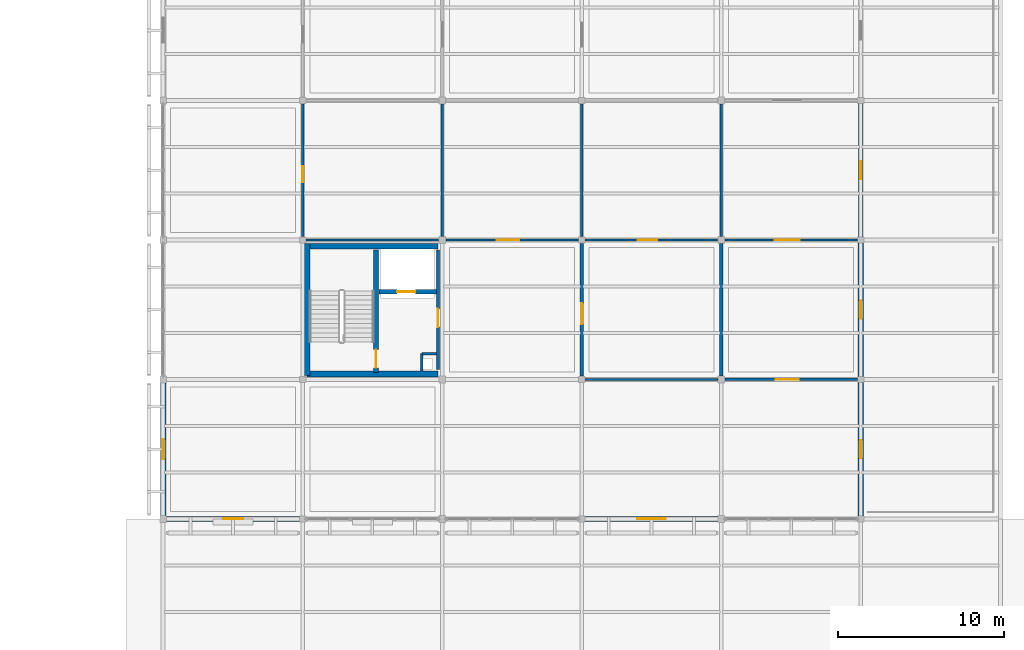
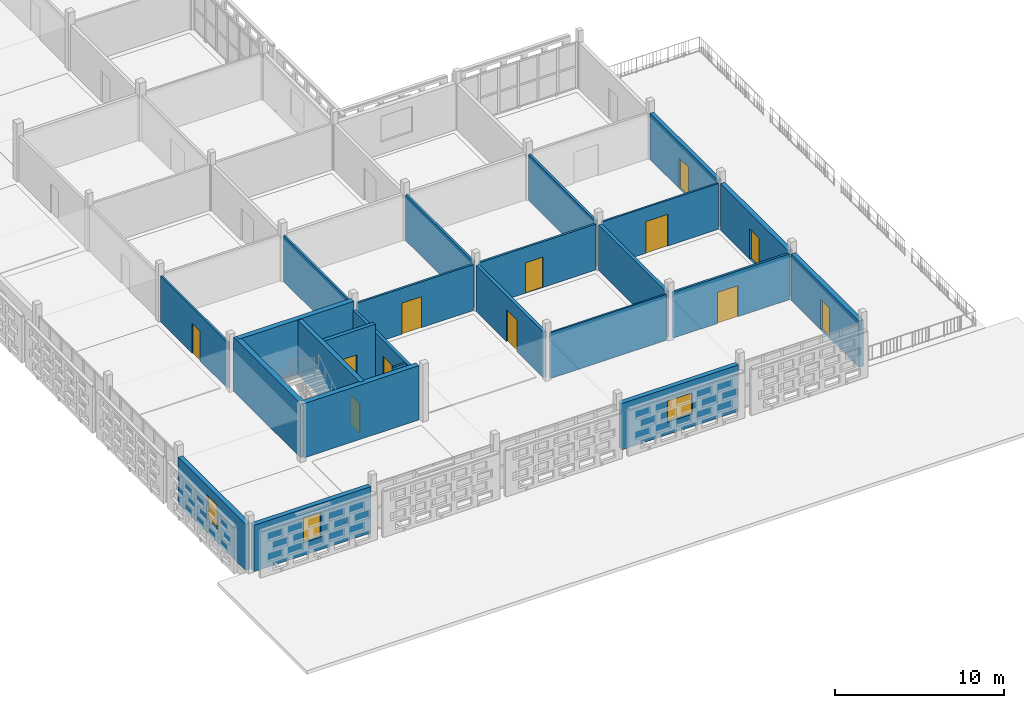
# One storey, part 83 of 140: 26 walls, 12 doors, 3 windows, 15 openings.
"""IFC4 building model written with IfcOpenShell, lengths in metres."""

from ifc_helpers import new_model, si_unit, direction, frame, frame_2d, origin, place, context, subcontext, project, spatial, rectangle, extrude, material, layer, layer_set, type_object, element, fill, save


model = new_model("IFC4")

# Units and contexts
model_context = context("Model", 3, precision=1e-05, world=origin(), true_north=direction((0.0, 1.0)))
body_context = subcontext(model_context, "Body", "Model", "MODEL_VIEW")
ifc_project = project(units=[si_unit("LENGTHUNIT", "METRE"), si_unit("AREAUNIT", "SQUARE_METRE"), si_unit("VOLUMEUNIT", "CUBIC_METRE"), si_unit("PLANEANGLEUNIT", "RADIAN"), si_unit("MASSUNIT", "GRAM", prefix="KILO")], contexts=[model_context])

# Site, building, storey
site_placement = place(None, origin())
site = spatial("IfcSite", under=ifc_project, at=site_placement, CompositionType="ELEMENT")
building_placement = place(site_placement, origin())
building = spatial("IfcBuilding", under=site, at=building_placement, Name="Varnapada Polytechnic", CompositionType="ELEMENT")
storey_placement = place(building_placement, frame((0.0, 0.0, 13.800048828125)))
storey = spatial("IfcBuildingStorey", under=building, at=storey_placement, Name="L03", CompositionType="ELEMENT", Elevation=13.800048828125)

# Wall, opening, door
ifc_material_1 = material(Name="Autoclaved Aerated Concrete Block AAC-600", Category="concrete")
ifc_layer_1 = layer(ifc_material_1, 0.199951171875)
ifc_layer_set_1 = layer_set([ifc_layer_1], Name="Autoclaved Aerated Concrete Block AAC-600")
wall_type_1 = type_object("IfcWallType", Name="Interior Wall IW-01", PredefinedType="PARTITIONING", material=ifc_layer_set_1)
wall_1_placement = place(storey_placement, frame((24.93994140625, 24.60009765625, 0.0), z_axis=(0.0, 0.0, 1.0), x_axis=(0.0, -1.0, 0.0)))
wall_1 = element("IfcWall", 1, at=wall_1_placement, inside=storey, type_object=wall_type_1, Name="L03 C3 firefighting lobby east wall", PredefinedType="PARTITIONING", context=body_context, shape_type="SweptSolid", body=[
    extrude(rectangle(XDim=7.2001953125, YDim=0.199951171875, at=frame_2d((3.60009765625, 0.0))), origin(), (0.0, 0.0, 1.0), 3.320068359375),
])
opening_1_placement = place(wall_1_placement, frame((3.550048828125, 0.0, 0.0)))
opening_1 = element("IfcOpeningElement", 2, at=opening_1_placement, cuts=wall_1, Name="Opening D-1190", PredefinedType="OPENING", context=body_context, shape_type="SweptSolid", body=[
    extrude(rectangle(XDim=1.10009765625, YDim=2.14990234375, at=frame_2d((0.550048828125, 1.074951171875))), frame((0.0, 0.10986328125, 0.0), z_axis=(0.0, -1.0, 0.0), x_axis=(1.0, 0.0, 0.0)), (0.0, 0.0, 1.0), 0.219970703125),
])
ifc_material_2 = material(Name="Galvanized Steel Z275", Category="steel")
door_type_1 = type_object("IfcDoorType", Name="Interior Door ID-01", OperationType="NOTDEFINED", PredefinedType="DOOR", material=ifc_material_2)
door_1_placement = place(opening_1_placement, frame((1.10009765625, 0.0, 0.0), z_axis=(0.0, 0.0, 1.0), x_axis=(-1.0, 0.0, 0.0)))
door_1 = element("IfcDoor", 3, at=door_1_placement, inside=storey, type_object=door_type_1, Name="L03 C3 lobby fire door D-1190", OperationType="SINGLE_SWING_RIGHT", OverallHeight=2.14990234375, OverallWidth=1.10009765625, PredefinedType="DOOR", context=body_context, shape_type="SweptSolid", body=[
    extrude(rectangle(XDim=1.10009765625, YDim=2.14990234375, at=frame_2d((0.550048828125, 1.074951171875))), frame((0.0, 0.02490234375, 0.0), z_axis=(0.0, -1.0, 0.0), x_axis=(1.0, 0.0, 0.0)), (0.0, 0.0, 1.0), 0.050048828125),
])
fill(opening_1, door_1)

# Walls
ifc_layer_2 = layer(ifc_material_1, 0.14990234375)
ifc_layer_set_2 = layer_set([ifc_layer_2], Name="Autoclaved Aerated Concrete Block AAC-600")
wall_type_2 = type_object("IfcWallType", Name="Interior Wall IW-02", PredefinedType="PARTITIONING", material=ifc_layer_set_2)
wall_2_placement = place(storey_placement, frame((23.97998046875, 18.360107421875, 0.0), z_axis=(0.0, 0.0, 1.0), x_axis=(0.0, -1.0, 0.0)))
element("IfcWall", 4, at=wall_2_placement, inside=storey, type_object=wall_type_2, Name="L03 C3 riser shaft west wall", PredefinedType="PARTITIONING", context=body_context, shape_type="SweptSolid", body=[
    extrude(rectangle(XDim=1.06005859375, YDim=0.14990234375, at=frame_2d((0.530029296875, 0.0))), origin(), (0.0, 0.0, 1.0), 3.320068359375),
])
wall_3_placement = place(storey_placement, frame((23.97998046875, 18.360107421875, 0.0), z_axis=(0.0, 0.0, 1.0), x_axis=(1.0, 0.0, 0.0)))
element("IfcWall", 5, at=wall_3_placement, inside=storey, type_object=wall_type_2, Name="L03 C3 riser shaft north wall", PredefinedType="PARTITIONING", context=body_context, shape_type="SweptSolid", body=[
    extrude(rectangle(XDim=0.860107421875, YDim=0.14990234375, at=frame_2d((0.43017578125, 0.0))), origin(), (0.0, 0.0, 1.0), 3.320068359375),
])

# Wall, opening, door
wall_4_placement = place(storey_placement, frame((42.219970703125, 16.800048828125, 0.0), z_axis=(0.0, 0.0, 1.0), x_axis=(1.0, 0.0, 0.0)))
wall_4 = element("IfcWall", 6, at=wall_4_placement, inside=storey, type_object=wall_type_2, Name="L03 interior partition IW-L03-05-01-H", PredefinedType="PARTITIONING", context=body_context, shape_type="SweptSolid", body=[
    extrude(rectangle(XDim=7.969970703125, YDim=0.14990234375, at=frame_2d((3.98486328125, 0.0))), origin(), (0.0, 0.0, 1.0), 3.320068359375),
])
opening_2_placement = place(wall_4_placement, frame((3.050048828125, 0.0, 0.0)))
opening_2 = element("IfcOpeningElement", 7, at=opening_2_placement, cuts=wall_4, Name="Opening D-1228", PredefinedType="OPENING", context=body_context, shape_type="SweptSolid", body=[
    extrude(rectangle(XDim=1.39990234375, YDim=2.25, at=frame_2d((0.699951171875, 1.125))), frame((0.0, 0.0849609375, 0.0), z_axis=(0.0, -1.0, 0.0), x_axis=(1.0, 0.0, 0.0)), (0.0, 0.0, 1.0), 0.169921875),
])
ifc_material_3 = material(Name="Powder-Coated Aluminium 6063-T6", Category="aluminium")
door_type_2 = type_object("IfcDoorType", Name="Interior Door ID-06", OperationType="NOTDEFINED", PredefinedType="DOOR", material=ifc_material_3)
door_2_placement = place(opening_2_placement, origin())
door_2 = element("IfcDoor", 8, at=door_2_placement, inside=storey, type_object=door_type_2, Name="L03 interior room door D-1228", OperationType="SINGLE_SWING_LEFT", OverallHeight=2.25, OverallWidth=1.39990234375, PredefinedType="DOOR", context=body_context, shape_type="SweptSolid", body=[
    extrude(rectangle(XDim=1.39990234375, YDim=2.25, at=frame_2d((0.699951171875, 1.125))), frame((0.0, 0.02490234375, 0.0), z_axis=(0.0, -1.0, 0.0), x_axis=(1.0, 0.0, 0.0)), (0.0, 0.0, 1.0), 0.050048828125),
])
fill(opening_2, door_2)

ifc_material_4 = material(Name="Gypsum Plasterboard Acoustic Partition")
ifc_layer_3 = layer(ifc_material_4, 0.125)
ifc_layer_set_3 = layer_set([ifc_layer_3], Name="Gypsum Plasterboard Acoustic Partition")
wall_type_3 = type_object("IfcWallType", Name="Interior Wall IW-03", PredefinedType="PARTITIONING", material=ifc_layer_set_3)
wall_5_placement = place(storey_placement, frame((42.219970703125, 25.199951171875, 0.0), z_axis=(0.0, 0.0, 1.0), x_axis=(1.0, 0.0, 0.0)))
wall_5 = element("IfcWall", 9, at=wall_5_placement, inside=storey, type_object=wall_type_3, Name="L03 interior partition IW-L03-05-02-H", PredefinedType="PARTITIONING", context=body_context, shape_type="SweptSolid", body=[
    extrude(rectangle(XDim=7.969970703125, YDim=0.125, at=frame_2d((3.98486328125, 0.0))), origin(), (0.0, 0.0, 1.0), 3.320068359375),
])
opening_3_placement = place(wall_5_placement, frame((3.0, 0.0, 0.0)))
opening_3 = element("IfcOpeningElement", 10, at=opening_3_placement, cuts=wall_5, Name="Opening D-1229", PredefinedType="OPENING", context=body_context, shape_type="SweptSolid", body=[
    extrude(rectangle(XDim=1.5, YDim=2.300048828125, at=frame_2d((0.75, 1.14990234375))), frame((0.0, 0.072509765625, 0.0), z_axis=(0.0, -1.0, 0.0), x_axis=(1.0, 0.0, 0.0)), (0.0, 0.0, 1.0), 0.14501953125),
])
door_type_3 = type_object("IfcDoorType", Name="Interior Door ID-07", OperationType="NOTDEFINED", PredefinedType="DOOR", material=ifc_material_2)
door_3_placement = place(opening_3_placement, frame((1.5, 0.0, 0.0), z_axis=(0.0, 0.0, 1.0), x_axis=(-1.0, 0.0, 0.0)))
door_3 = element("IfcDoor", 11, at=door_3_placement, inside=storey, type_object=door_type_3, Name="L03 interior room door D-1229", OperationType="SINGLE_SWING_RIGHT", OverallHeight=2.300048828125, OverallWidth=1.5, PredefinedType="DOOR", context=body_context, shape_type="SweptSolid", body=[
    extrude(rectangle(XDim=1.5, YDim=2.300048828125, at=frame_2d((0.75, 1.14990234375))), frame((0.0, 0.02490234375, 0.0), z_axis=(0.0, -1.0, 0.0), x_axis=(1.0, 0.0, 0.0)), (0.0, 0.0, 1.0), 0.050048828125),
])
fill(opening_3, door_3)

ifc_material_5 = material(Name="Moisture-Resistant Cement Board Partition")
ifc_layer_4 = layer(ifc_material_5, 0.139892578125)
ifc_layer_set_4 = layer_set([ifc_layer_4], Name="Moisture-Resistant Cement Board Partition")
wall_type_4 = type_object("IfcWallType", Name="Interior Wall IW-04", PredefinedType="PARTITIONING", material=ifc_layer_set_4)
wall_6_placement = place(storey_placement, frame((16.800048828125, 25.409912109375, 0.0), z_axis=(0.0, 0.0, 1.0), x_axis=(0.0, 1.0, 0.0)))
wall_6 = element("IfcWall", 12, at=wall_6_placement, inside=storey, type_object=wall_type_4, Name="L03 interior partition IW-L03-01-03-V", PredefinedType="PARTITIONING", context=body_context, shape_type="SweptSolid", body=[
    extrude(rectangle(XDim=7.97998046875, YDim=0.139892578125, at=frame_2d((3.989990234375, 0.0))), origin(), (0.0, 0.0, 1.0), 3.320068359375),
])
opening_4_placement = place(wall_6_placement, frame((3.27490234375, 0.0, 0.0)))
opening_4 = element("IfcOpeningElement", 13, at=opening_4_placement, cuts=wall_6, Name="Opening D-1206", PredefinedType="OPENING", context=body_context, shape_type="SweptSolid", body=[
    extrude(rectangle(XDim=0.949951171875, YDim=2.14990234375, at=frame_2d((0.47509765625, 1.074951171875))), frame((0.0, 0.079833984375, 0.0), z_axis=(0.0, -1.0, 0.0), x_axis=(1.0, 0.0, 0.0)), (0.0, 0.0, 1.0), 0.159912109375),
])
ifc_material_6 = material(Name="Moisture-Resistant HPL Timber", Category="wood")
door_type_4 = type_object("IfcDoorType", Name="Interior Door ID-03", OperationType="NOTDEFINED", PredefinedType="DOOR", material=ifc_material_6)
door_4_placement = place(opening_4_placement, origin())
door_4 = element("IfcDoor", 14, at=door_4_placement, inside=storey, type_object=door_type_4, Name="L03 interior room door D-1206", OperationType="SINGLE_SWING_LEFT", OverallHeight=2.14990234375, OverallWidth=0.949951171875, PredefinedType="DOOR", context=body_context, shape_type="SweptSolid", body=[
    extrude(rectangle(XDim=0.949951171875, YDim=2.14990234375, at=frame_2d((0.47509765625, 1.074951171875))), frame((0.0, 0.02490234375, 0.0), z_axis=(0.0, -1.0, 0.0), x_axis=(1.0, 0.0, 0.0)), (0.0, 0.0, 1.0), 0.050048828125),
])
fill(opening_4, door_4)

# Walls
wall_7_placement = place(storey_placement, frame((17.010009765625, 25.199951171875, 0.0), z_axis=(0.0, 0.0, 1.0), x_axis=(1.0, 0.0, 0.0)))
element("IfcWall", 15, at=wall_7_placement, inside=storey, type_object=wall_type_4, Name="L03 interior partition IW-L03-02-02-H", PredefinedType="PARTITIONING", context=body_context, shape_type="SweptSolid", body=[
    extrude(rectangle(XDim=7.969970703125, YDim=0.139892578125, at=frame_2d((3.98486328125, 0.0))), origin(), (0.0, 0.0, 1.0), 3.320068359375),
])
wall_8_placement = place(storey_placement, frame((25.199951171875, 25.419921875, 0.0), z_axis=(0.0, 0.0, 1.0), x_axis=(0.0, 1.0, 0.0)))
element("IfcWall", 16, at=wall_8_placement, inside=storey, type_object=wall_type_4, Name="L03 interior partition IW-L03-02-03-V", PredefinedType="PARTITIONING", context=body_context, shape_type="SweptSolid", body=[
    extrude(rectangle(XDim=7.9599609375, YDim=0.139892578125, at=frame_2d((3.97998046875, 0.0))), origin(), (0.0, 0.0, 1.0), 3.320068359375),
])
ifc_material_7 = material(Name="Timber-Stud Studio Critique Partition", Category="wood")
ifc_layer_5 = layer(ifc_material_7, 0.114990234375)
ifc_layer_set_5 = layer_set([ifc_layer_5], Name="Timber-Stud Studio Critique Partition")
wall_type_5 = type_object("IfcWallType", Name="Interior Wall IW-12", PredefinedType="PARTITIONING", material=ifc_layer_set_5)
wall_9_placement = place(storey_placement, frame((33.81005859375, 16.800048828125, 0.0), z_axis=(0.0, 0.0, 1.0), x_axis=(1.0, 0.0, 0.0)))
element("IfcWall", 17, at=wall_9_placement, inside=storey, type_object=wall_type_5, Name="L03 interior partition IW-L03-04-01-H", PredefinedType="PARTITIONING", context=body_context, shape_type="SweptSolid", body=[
    extrude(rectangle(XDim=7.969970703125, YDim=0.114990234375, at=frame_2d((3.98486328125, 0.0))), origin(), (0.0, 0.0, 1.0), 3.320068359375),
])

# Wall, opening, door
ifc_material_8 = material(Name="Heavy Acoustic Auditorium Baffle Wall")
ifc_layer_6 = layer(ifc_material_8, 0.219970703125)
ifc_layer_set_6 = layer_set([ifc_layer_6], Name="Heavy Acoustic Auditorium Baffle Wall")
wall_type_6 = type_object("IfcWallType", Name="Interior Wall IW-13", PredefinedType="PARTITIONING", material=ifc_layer_set_6)
wall_10_placement = place(storey_placement, frame((33.60009765625, 17.010009765625, 0.0), z_axis=(0.0, 0.0, 1.0), x_axis=(0.0, 1.0, 0.0)))
wall_10 = element("IfcWall", 18, at=wall_10_placement, inside=storey, type_object=wall_type_6, Name="L03 interior partition IW-L03-03-02-V", PredefinedType="PARTITIONING", context=body_context, shape_type="SweptSolid", body=[
    extrude(rectangle(XDim=7.97998046875, YDim=0.219970703125, at=frame_2d((3.989990234375, 0.0))), origin(), (0.0, 0.0, 1.0), 3.320068359375),
])
opening_5_placement = place(wall_10_placement, frame((3.125, 0.0, 0.0)))
opening_5 = element("IfcOpeningElement", 19, at=opening_5_placement, cuts=wall_10, Name="Opening D-1221", PredefinedType="OPENING", context=body_context, shape_type="SweptSolid", body=[
    extrude(rectangle(XDim=1.25, YDim=2.300048828125, at=frame_2d((0.625, 1.14990234375))), frame((0.0, 0.119873046875, 0.0), z_axis=(0.0, -1.0, 0.0), x_axis=(1.0, 0.0, 0.0)), (0.0, 0.0, 1.0), 0.239990234375),
])
ifc_material_9 = material(Name="Solid Teak Hardwood Timber", Category="wood")
door_type_5 = type_object("IfcDoorType", Name="Interior Door ID-16", OperationType="NOTDEFINED", PredefinedType="DOOR", material=ifc_material_9)
door_5_placement = place(opening_5_placement, origin())
door_5 = element("IfcDoor", 20, at=door_5_placement, inside=storey, type_object=door_type_5, Name="L03 interior room door D-1221", OperationType="SINGLE_SWING_RIGHT", OverallHeight=2.300048828125, OverallWidth=1.25, PredefinedType="DOOR", context=body_context, shape_type="SweptSolid", body=[
    extrude(rectangle(XDim=1.25, YDim=2.300048828125, at=frame_2d((0.625, 1.14990234375))), frame((0.0, 0.02490234375, 0.0), z_axis=(0.0, -1.0, 0.0), x_axis=(1.0, 0.0, 0.0)), (0.0, 0.0, 1.0), 0.050048828125),
])
fill(opening_5, door_5)

# Wall
wall_11_placement = place(storey_placement, frame((42.0, 17.02001953125, 0.0), z_axis=(0.0, 0.0, 1.0), x_axis=(0.0, 1.0, 0.0)))
element("IfcWall", 21, at=wall_11_placement, inside=storey, type_object=wall_type_6, Name="L03 interior partition IW-L03-04-02-V", PredefinedType="PARTITIONING", context=body_context, shape_type="SweptSolid", body=[
    extrude(rectangle(XDim=7.9599609375, YDim=0.219970703125, at=frame_2d((3.97998046875, 0.0))), origin(), (0.0, 0.0, 1.0), 3.320068359375),
])

# Wall, opening, door
ifc_material_10 = material(Name="Ceramic-Tiled Wet Laboratory Wall")
ifc_layer_7 = layer(ifc_material_10, 0.14501953125)
ifc_layer_set_7 = layer_set([ifc_layer_7], Name="Ceramic-Tiled Wet Laboratory Wall")
wall_type_7 = type_object("IfcWallType", Name="Interior Wall IW-14", PredefinedType="PARTITIONING", material=ifc_layer_set_7)
wall_12_placement = place(storey_placement, frame((25.419921875, 25.199951171875, 0.0), z_axis=(0.0, 0.0, 1.0), x_axis=(1.0, 0.0, 0.0)))
wall_12 = element("IfcWall", 22, at=wall_12_placement, inside=storey, type_object=wall_type_7, Name="L03 interior partition IW-L03-03-02-H", PredefinedType="PARTITIONING", context=body_context, shape_type="SweptSolid", body=[
    extrude(rectangle(XDim=7.969970703125, YDim=0.14501953125, at=frame_2d((3.98486328125, 0.0))), origin(), (0.0, 0.0, 1.0), 3.320068359375),
])
opening_6_placement = place(wall_12_placement, frame((3.074951171875, 0.0, 0.0)))
opening_6 = element("IfcOpeningElement", 23, at=opening_6_placement, cuts=wall_12, Name="Opening D-1222", PredefinedType="OPENING", context=body_context, shape_type="SweptSolid", body=[
    extrude(rectangle(XDim=1.35009765625, YDim=2.25, at=frame_2d((0.675048828125, 1.125))), frame((0.0, 0.08251953125, 0.0), z_axis=(0.0, -1.0, 0.0), x_axis=(1.0, 0.0, 0.0)), (0.0, 0.0, 1.0), 0.1650390625),
])
door_type_6 = type_object("IfcDoorType", Name="Interior Door ID-17", OperationType="NOTDEFINED", PredefinedType="DOOR", material=ifc_material_3)
door_6_placement = place(opening_6_placement, origin())
door_6 = element("IfcDoor", 24, at=door_6_placement, inside=storey, type_object=door_type_6, Name="L03 interior room door D-1222", OperationType="SINGLE_SWING_LEFT", OverallHeight=2.25, OverallWidth=1.35009765625, PredefinedType="DOOR", context=body_context, shape_type="SweptSolid", body=[
    extrude(rectangle(XDim=1.35009765625, YDim=2.25, at=frame_2d((0.675048828125, 1.125))), frame((0.0, 0.02490234375, 0.0), z_axis=(0.0, -1.0, 0.0), x_axis=(1.0, 0.0, 0.0)), (0.0, 0.0, 1.0), 0.050048828125),
])
fill(opening_6, door_6)

wall_13_placement = place(storey_placement, frame((33.81005859375, 25.199951171875, 0.0), z_axis=(0.0, 0.0, 1.0), x_axis=(1.0, 0.0, 0.0)))
wall_13 = element("IfcWall", 25, at=wall_13_placement, inside=storey, type_object=wall_type_7, Name="L03 interior partition IW-L03-04-02-H", PredefinedType="PARTITIONING", context=body_context, shape_type="SweptSolid", body=[
    extrude(rectangle(XDim=7.969970703125, YDim=0.14501953125, at=frame_2d((3.98486328125, 0.0))), origin(), (0.0, 0.0, 1.0), 3.320068359375),
])
opening_7_placement = place(wall_13_placement, frame((3.14990234375, 0.0, 0.0)))
opening_7 = element("IfcOpeningElement", 26, at=opening_7_placement, cuts=wall_13, Name="Opening D-1227", PredefinedType="OPENING", context=body_context, shape_type="SweptSolid", body=[
    extrude(rectangle(XDim=1.199951171875, YDim=2.199951171875, at=frame_2d((0.60009765625, 1.10009765625))), frame((0.0, 0.08251953125, 0.0), z_axis=(0.0, -1.0, 0.0), x_axis=(1.0, 0.0, 0.0)), (0.0, 0.0, 1.0), 0.1650390625),
])
door_type_7 = type_object("IfcDoorType", Name="Interior Door ID-05", OperationType="NOTDEFINED", PredefinedType="DOOR", material=ifc_material_9)
door_7_placement = place(opening_7_placement, origin())
door_7 = element("IfcDoor", 27, at=door_7_placement, inside=storey, type_object=door_type_7, Name="L03 interior room door D-1227", OperationType="SINGLE_SWING_RIGHT", OverallHeight=2.199951171875, OverallWidth=1.199951171875, PredefinedType="DOOR", context=body_context, shape_type="SweptSolid", body=[
    extrude(rectangle(XDim=1.199951171875, YDim=2.199951171875, at=frame_2d((0.60009765625, 1.10009765625))), frame((0.0, 0.02490234375, 0.0), z_axis=(0.0, -1.0, 0.0), x_axis=(1.0, 0.0, 0.0)), (0.0, 0.0, 1.0), 0.050048828125),
])
fill(opening_7, door_7)

# Walls
ifc_material_11 = material(Name="Perforated Timber-Lined Seminar Wall", Category="wood")
ifc_layer_8 = layer(ifc_material_11, 0.155029296875)
ifc_layer_set_8 = layer_set([ifc_layer_8], Name="Perforated Timber-Lined Seminar Wall")
wall_type_8 = type_object("IfcWallType", Name="Interior Wall IW-15", PredefinedType="PARTITIONING", material=ifc_layer_set_8)
wall_14_placement = place(storey_placement, frame((33.60009765625, 25.409912109375, 0.0), z_axis=(0.0, 0.0, 1.0), x_axis=(0.0, 1.0, 0.0)))
element("IfcWall", 28, at=wall_14_placement, inside=storey, type_object=wall_type_8, Name="L03 interior partition IW-L03-03-03-V", PredefinedType="PARTITIONING", context=body_context, shape_type="SweptSolid", body=[
    extrude(rectangle(XDim=7.97998046875, YDim=0.155029296875, at=frame_2d((3.989990234375, 0.0))), origin(), (0.0, 0.0, 1.0), 3.320068359375),
])
wall_15_placement = place(storey_placement, frame((42.0, 25.419921875, 0.0), z_axis=(0.0, 0.0, 1.0), x_axis=(0.0, 1.0, 0.0)))
element("IfcWall", 29, at=wall_15_placement, inside=storey, type_object=wall_type_8, Name="L03 interior partition IW-L03-04-03-V", PredefinedType="PARTITIONING", context=body_context, shape_type="SweptSolid", body=[
    extrude(rectangle(XDim=7.9599609375, YDim=0.155029296875, at=frame_2d((3.97998046875, 0.0))), origin(), (0.0, 0.0, 1.0), 3.320068359375),
])
ifc_material_12 = material(Name="Concrete C40/50", Category="concrete")
ifc_layer_9 = layer(ifc_material_12, 0.35009765625)
ifc_layer_set_9 = layer_set([ifc_layer_9], Name="Concrete C40/50")
wall_type_9 = type_object("IfcWallType", Name="Interior Wall SW-01", PredefinedType="SHEAR", material=ifc_layer_set_9)
wall_16_placement = place(storey_placement, frame((17.06494140625, 17.050048828125, 0.0), z_axis=(0.0, 0.0, 1.0), x_axis=(0.0, 1.0, 0.0)))
element("IfcWall", 30, at=wall_16_placement, inside=storey, type_object=wall_type_9, Name="L03 C3 stair west shear wall", PredefinedType="SHEAR", context=body_context, shape_type="SweptSolid", body=[
    extrude(rectangle(XDim=7.93994140625, YDim=0.35009765625, at=frame_2d((3.969970703125, 0.0))), origin(), (0.0, 0.0, 1.0), 3.929931640625),
])
for number, where, z_axis, x_axis, name in (
    (31, (17.06494140625, 24.820068359375, 0.0), (0.0, 0.0, 1.0), (1.0, 0.0, 0.0), "L03 C3 core north shear wall"),
    (32, (24.93994140625, 17.1201171875, 0.0), (0.0, 0.0, 1.0), (-1.0, 0.0, 0.0), "L03 C3 core south shear wall"),
):
    element("IfcWall", number, at=place(storey_placement, frame(where, z_axis=z_axis, x_axis=x_axis)), inside=storey, type_object=wall_type_9, Name=name, PredefinedType="SHEAR", context=body_context, shape_type="SweptSolid", body=[
        extrude(rectangle(XDim=7.875, YDim=0.35009765625, at=frame_2d((3.9375, 0.0))), origin(), (0.0, 0.0, 1.0), 3.929931640625),
    ])

# Wall, opening, door
ifc_layer_10 = layer(ifc_material_12, 0.300048828125)
ifc_layer_set_10 = layer_set([ifc_layer_10], Name="Concrete C40/50")
wall_type_10 = type_object("IfcWallType", Name="Interior Wall SW-02", PredefinedType="SHEAR", material=ifc_layer_set_10)
wall_17_placement = place(storey_placement, frame((21.2099609375, 17.219970703125, 0.0), z_axis=(0.0, 0.0, 1.0), x_axis=(0.0, 1.0, 0.0)))
wall_17 = element("IfcWall", 33, at=wall_17_placement, inside=storey, type_object=wall_type_10, Name="L03 C3 stair-lobby dividing shear wall", PredefinedType="SHEAR", context=body_context, shape_type="SweptSolid", body=[
    extrude(rectangle(XDim=7.380126953125, YDim=0.300048828125, at=frame_2d((3.68994140625, 0.0))), origin(), (0.0, 0.0, 1.0), 3.929931640625),
])
opening_8_placement = place(wall_17_placement, frame((0.280029296875, 0.0, 0.0)))
opening_8 = element("IfcOpeningElement", 34, at=opening_8_placement, cuts=wall_17, Name="Opening D-1191", PredefinedType="OPENING", context=body_context, shape_type="SweptSolid", body=[
    extrude(rectangle(XDim=1.10009765625, YDim=2.14990234375, at=frame_2d((0.550048828125, 1.074951171875))), frame((0.0, 0.159912109375, 0.0), z_axis=(0.0, -1.0, 0.0), x_axis=(1.0, 0.0, 0.0)), (0.0, 0.0, 1.0), 0.320068359375),
])
door_8_placement = place(opening_8_placement, origin())
door_8 = element("IfcDoor", 35, at=door_8_placement, inside=storey, type_object=door_type_1, Name="L03 C3 exit stair door D-1191", OperationType="SINGLE_SWING_RIGHT", OverallHeight=2.14990234375, OverallWidth=1.10009765625, PredefinedType="DOOR", context=body_context, shape_type="SweptSolid", body=[
    extrude(rectangle(XDim=1.10009765625, YDim=2.14990234375, at=frame_2d((0.550048828125, 1.074951171875))), frame((0.0, 0.02490234375, 0.0), z_axis=(0.0, -1.0, 0.0), x_axis=(1.0, 0.0, 0.0)), (0.0, 0.0, 1.0), 0.050048828125),
])
fill(opening_8, door_8)

ifc_layer_11 = layer(ifc_material_12, 0.25)
ifc_layer_set_11 = layer_set([ifc_layer_11], Name="Concrete C40/50")
wall_type_11 = type_object("IfcWallType", Name="Interior Wall SW-05", PredefinedType="SHEAR", material=ifc_layer_set_11)
wall_18_placement = place(storey_placement, frame((21.3798828125, 22.080078125, 0.0), z_axis=(0.0, 0.0, 1.0), x_axis=(1.0, 0.0, 0.0)))
wall_18 = element("IfcWall", 36, at=wall_18_placement, inside=storey, type_object=wall_type_11, Name="L03 C3 lift shaft front wall", PredefinedType="SHEAR", context=body_context, shape_type="SweptSolid", body=[
    extrude(rectangle(XDim=3.460205078125, YDim=0.25, at=frame_2d((1.72998046875, 0.0))), origin(), (0.0, 0.0, 1.0), 3.929931640625),
])
opening_9_placement = place(wall_18_placement, frame((1.10009765625, 0.0, 0.0)))
opening_9 = element("IfcOpeningElement", 37, at=opening_9_placement, cuts=wall_18, Name="Opening LD-027", PredefinedType="OPENING", context=body_context, shape_type="SweptSolid", body=[
    extrude(rectangle(XDim=1.10009765625, YDim=2.14990234375, at=frame_2d((0.550048828125, 1.074951171875))), frame((0.0, 0.135009765625, 0.0), z_axis=(0.0, -1.0, 0.0), x_axis=(1.0, 0.0, 0.0)), (0.0, 0.0, 1.0), 0.27001953125),
])
ifc_material_13 = material(Name="Brushed Stainless Steel 316", Category="steel")
door_type_8 = type_object("IfcDoorType", Name="Interior Door LD-01", OperationType="NOTDEFINED", PredefinedType="DOOR", material=ifc_material_13)
door_9_placement = place(opening_9_placement, origin())
door_9 = element("IfcDoor", 38, at=door_9_placement, inside=storey, type_object=door_type_8, Name="L03 LFT-03 sliding lift landing door LD-027", OperationType="DOUBLE_DOOR_SLIDING", OverallHeight=2.14990234375, OverallWidth=1.10009765625, PredefinedType="DOOR", context=body_context, shape_type="SweptSolid", body=[
    extrude(rectangle(XDim=1.10009765625, YDim=2.14990234375, at=frame_2d((0.550048828125, 1.074951171875))), frame((0.0, 0.02490234375, 0.0), z_axis=(0.0, -1.0, 0.0), x_axis=(1.0, 0.0, 0.0)), (0.0, 0.0, 1.0), 0.050048828125),
])
fill(opening_9, door_9)

ifc_material_14 = material(Name="Precast concrete C40/50", Category="concrete")
ifc_layer_12 = layer(ifc_material_14, 0.260009765625)
ifc_layer_set_12 = layer_set([ifc_layer_12], Name="Precast concrete C40/50")
wall_type_12 = type_object("IfcWallType", Name="Wall EW-03", PredefinedType="SOLIDWALL", material=ifc_layer_set_12)
wall_19_placement = place(storey_placement, frame((50.39990234375, 33.409912109375, 0.0), z_axis=(0.0, 0.0, 1.0), x_axis=(0.0, -1.0, 0.0)))
wall_19 = element("IfcWall", 39, at=wall_19_placement, inside=storey, type_object=wall_type_12, Name="L03 exterior wall EW-03 (38)", PredefinedType="SOLIDWALL", context=body_context, shape_type="SweptSolid", body=[
    extrude(rectangle(XDim=8.02001953125, YDim=0.260009765625, at=frame_2d((4.010009765625, 0.0))), origin(), (0.0, 0.0, 1.0), 3.35986328125),
])
opening_10_placement = place(wall_19_placement, frame((3.4599609375, 0.0, 0.0)))
opening_10 = element("IfcOpeningElement", 40, at=opening_10_placement, cuts=wall_19, Name="Opening D-037", PredefinedType="OPENING", context=body_context, shape_type="SweptSolid", body=[
    extrude(rectangle(XDim=1.10009765625, YDim=2.199951171875, at=frame_2d((0.550048828125, 1.10009765625))), frame((0.0, 0.139892578125, 0.0), z_axis=(0.0, -1.0, 0.0), x_axis=(1.0, 0.0, 0.0)), (0.0, 0.0, 1.0), 0.280029296875),
])
ifc_material_15 = material(Name="Anodised aluminium and laminated glass", Category="aluminium")
door_type_9 = type_object("IfcDoorType", Name="Exterior Door ED-03", OperationType="NOTDEFINED", PredefinedType="DOOR", material=ifc_material_15)
door_10_placement = place(opening_10_placement, origin())
door_10 = element("IfcDoor", 41, at=door_10_placement, inside=storey, type_object=door_type_9, Name="L03 roof terrace access door D-037", OperationType="SINGLE_SWING_RIGHT", OverallHeight=2.199951171875, OverallWidth=1.10009765625, PredefinedType="DOOR", context=body_context, shape_type="SweptSolid", body=[
    extrude(rectangle(XDim=1.10009765625, YDim=2.199951171875, at=frame_2d((0.550048828125, 1.10009765625))), frame((0.0, 0.02490234375, 0.0), z_axis=(0.0, -1.0, 0.0), x_axis=(1.0, 0.0, 0.0)), (0.0, 0.0, 1.0), 0.050048828125),
])
fill(opening_10, door_10)

# Wall, opening, window
ifc_layer_13 = layer(ifc_material_14, 0.320068359375)
ifc_layer_set_13 = layer_set([ifc_layer_13], Name="Precast concrete C40/50")
wall_type_13 = type_object("IfcWallType", Name="Wall EW-04", PredefinedType="SOLIDWALL", material=ifc_layer_set_13)
wall_20_placement = place(storey_placement, frame((16.610107421875, 8.39990234375, 0.0), z_axis=(0.0, 0.0, 1.0), x_axis=(-1.0, 0.0, 0.0)))
wall_20 = element("IfcWall", 42, at=wall_20_placement, inside=storey, type_object=wall_type_13, Name="L03 exterior wall EW-04 (13)", PredefinedType="SOLIDWALL", context=body_context, shape_type="SweptSolid", body=[
    extrude(rectangle(XDim=8.010009765625, YDim=0.320068359375, at=frame_2d((4.0048828125, 0.0))), origin(), (0.0, 0.0, 1.0), 3.35986328125),
])
opening_11_placement = place(wall_20_placement, frame((3.405029296875, 0.0, 0.89990234375)))
opening_11 = element("IfcOpeningElement", 43, at=opening_11_placement, cuts=wall_20, Name="Opening WN-01", PredefinedType="OPENING", context=body_context, shape_type="SweptSolid", body=[
    extrude(rectangle(XDim=1.199951171875, YDim=1.800048828125, at=frame_2d((0.60009765625, 0.89990234375))), frame((0.0, 0.169921875, 0.0), z_axis=(0.0, -1.0, 0.0), x_axis=(1.0, 0.0, 0.0)), (0.0, 0.0, 1.0), 0.340087890625),
])
ifc_material_16 = material(Name="Double low-E laminated glass", Category="glass")
window_type_1 = type_object("IfcWindowType", Name="Window WN-01", PartitioningType="SINGLE_PANEL", PredefinedType="WINDOW", material=ifc_material_16)
window_1_placement = place(opening_11_placement, origin())
window_1 = element("IfcWindow", 44, at=window_1_placement, inside=storey, type_object=window_type_1, Name="L03 window WN-01 (138)", OverallHeight=1.800048828125, OverallWidth=1.199951171875, PartitioningType="SINGLE_PANEL", PredefinedType="WINDOW", context=body_context, shape_type="SweptSolid", body=[
    extrude(rectangle(XDim=1.199951171875, YDim=1.800048828125, at=frame_2d((0.60009765625, 0.89990234375))), frame((0.0, 0.030029296875, 0.0), z_axis=(0.0, -1.0, 0.0), x_axis=(1.0, 0.0, 0.0)), (0.0, 0.0, 1.0), 0.06005859375),
])
fill(opening_11, window_1)

wall_21_placement = place(storey_placement, frame((8.39990234375, 8.60009765625, 0.0), z_axis=(0.0, 0.0, 1.0), x_axis=(0.0, 1.0, 0.0)))
wall_21 = element("IfcWall", 45, at=wall_21_placement, inside=storey, type_object=wall_type_13, Name="L03 exterior wall EW-04 (14)", PredefinedType="SOLIDWALL", context=body_context, shape_type="SweptSolid", body=[
    extrude(rectangle(XDim=8.0, YDim=0.320068359375, at=frame_2d((4.0, 0.0))), origin(), (0.0, 0.0, 1.0), 3.35986328125),
])
opening_12_placement = place(wall_21_placement, frame((3.39990234375, 0.0, 0.89990234375)))
opening_12 = element("IfcOpeningElement", 46, at=opening_12_placement, cuts=wall_21, Name="Opening WN-01", PredefinedType="OPENING", context=body_context, shape_type="SweptSolid", body=[
    extrude(rectangle(XDim=1.199951171875, YDim=1.800048828125, at=frame_2d((0.60009765625, 0.89990234375))), frame((0.0, 0.169921875, 0.0), z_axis=(0.0, -1.0, 0.0), x_axis=(1.0, 0.0, 0.0)), (0.0, 0.0, 1.0), 0.340087890625),
])
window_2_placement = place(opening_12_placement, origin())
window_2 = element("IfcWindow", 47, at=window_2_placement, inside=storey, type_object=window_type_1, Name="L03 window WN-01 (139)", OverallHeight=1.800048828125, OverallWidth=1.199951171875, PartitioningType="SINGLE_PANEL", PredefinedType="WINDOW", context=body_context, shape_type="SweptSolid", body=[
    extrude(rectangle(XDim=1.199951171875, YDim=1.800048828125, at=frame_2d((0.60009765625, 0.89990234375))), frame((0.0, 0.030029296875, 0.0), z_axis=(0.0, -1.0, 0.0), x_axis=(1.0, 0.0, 0.0)), (0.0, 0.0, 1.0), 0.06005859375),
])
fill(opening_12, window_2)

wall_22_placement = place(storey_placement, frame((41.800048828125, 8.39990234375, 0.0), z_axis=(0.0, 0.0, 1.0), x_axis=(-1.0, 0.0, 0.0)))
wall_22 = element("IfcWall", 48, at=wall_22_placement, inside=storey, type_object=wall_type_13, Name="L03 exterior wall EW-04 (33)", PredefinedType="SOLIDWALL", context=body_context, shape_type="SweptSolid", body=[
    extrude(rectangle(XDim=8.010009765625, YDim=0.320068359375, at=frame_2d((4.0048828125, 0.0))), origin(), (0.0, 0.0, 1.0), 3.35986328125),
])
opening_13_placement = place(wall_22_placement, frame((3.155029296875, 0.0, 0.89990234375)))
opening_13 = element("IfcOpeningElement", 49, at=opening_13_placement, cuts=wall_22, Name="Opening WN-16", PredefinedType="OPENING", context=body_context, shape_type="SweptSolid", body=[
    extrude(rectangle(XDim=1.699951171875, YDim=1.550048828125, at=frame_2d((0.85009765625, 0.77490234375))), frame((0.0, 0.169921875, 0.0), z_axis=(0.0, -1.0, 0.0), x_axis=(1.0, 0.0, 0.0)), (0.0, 0.0, 1.0), 0.340087890625),
])
window_type_2 = type_object("IfcWindowType", Name="Window WN-16", PartitioningType="SINGLE_PANEL", PredefinedType="WINDOW", material=ifc_material_16)
window_3_placement = place(opening_13_placement, origin())
window_3 = element("IfcWindow", 50, at=window_3_placement, inside=storey, type_object=window_type_2, Name="L03 window WN-16 (146)", OverallHeight=1.550048828125, OverallWidth=1.699951171875, PartitioningType="SINGLE_PANEL", PredefinedType="WINDOW", context=body_context, shape_type="SweptSolid", body=[
    extrude(rectangle(XDim=1.699951171875, YDim=1.550048828125, at=frame_2d((0.85009765625, 0.77490234375))), frame((0.0, 0.030029296875, 0.0), z_axis=(0.0, -1.0, 0.0), x_axis=(1.0, 0.0, 0.0)), (0.0, 0.0, 1.0), 0.06005859375),
])
fill(opening_13, window_3)

# Wall, opening, door
wall_23_placement = place(storey_placement, frame((50.39990234375, 16.610107421875, 0.0), z_axis=(0.0, 0.0, 1.0), x_axis=(0.0, -1.0, 0.0)))
wall_23 = element("IfcWall", 51, at=wall_23_placement, inside=storey, type_object=wall_type_13, Name="L03 exterior wall EW-04 (36)", PredefinedType="SOLIDWALL", context=body_context, shape_type="SweptSolid", body=[
    extrude(rectangle(XDim=8.02001953125, YDim=0.320068359375, at=frame_2d((4.010009765625, 0.0))), origin(), (0.0, 0.0, 1.0), 3.35986328125),
])
opening_14_placement = place(wall_23_placement, frame((3.4599609375, 0.0, 0.0)))
opening_14 = element("IfcOpeningElement", 52, at=opening_14_placement, cuts=wall_23, Name="Opening D-035", PredefinedType="OPENING", context=body_context, shape_type="SweptSolid", body=[
    extrude(rectangle(XDim=1.10009765625, YDim=2.199951171875, at=frame_2d((0.550048828125, 1.10009765625))), frame((0.0, 0.169921875, 0.0), z_axis=(0.0, -1.0, 0.0), x_axis=(1.0, 0.0, 0.0)), (0.0, 0.0, 1.0), 0.340087890625),
])
door_11_placement = place(opening_14_placement, origin())
door_11 = element("IfcDoor", 53, at=door_11_placement, inside=storey, type_object=door_type_9, Name="L03 roof terrace access door D-035", OperationType="SINGLE_SWING_RIGHT", OverallHeight=2.199951171875, OverallWidth=1.10009765625, PredefinedType="DOOR", context=body_context, shape_type="SweptSolid", body=[
    extrude(rectangle(XDim=1.10009765625, YDim=2.199951171875, at=frame_2d((0.550048828125, 1.10009765625))), frame((0.0, 0.02490234375, 0.0), z_axis=(0.0, -1.0, 0.0), x_axis=(1.0, 0.0, 0.0)), (0.0, 0.0, 1.0), 0.050048828125),
])
fill(opening_14, door_11)

wall_24_placement = place(storey_placement, frame((50.39990234375, 25.010009765625, 0.0), z_axis=(0.0, 0.0, 1.0), x_axis=(0.0, -1.0, 0.0)))
wall_24 = element("IfcWall", 54, at=wall_24_placement, inside=storey, type_object=wall_type_13, Name="L03 exterior wall EW-04 (37)", PredefinedType="SOLIDWALL", context=body_context, shape_type="SweptSolid", body=[
    extrude(rectangle(XDim=8.02001953125, YDim=0.320068359375, at=frame_2d((4.010009765625, 0.0))), origin(), (0.0, 0.0, 1.0), 3.35986328125),
])
opening_15_placement = place(wall_24_placement, frame((3.4599609375, 0.0, 0.0)))
opening_15 = element("IfcOpeningElement", 55, at=opening_15_placement, cuts=wall_24, Name="Opening D-036", PredefinedType="OPENING", context=body_context, shape_type="SweptSolid", body=[
    extrude(rectangle(XDim=1.10009765625, YDim=2.199951171875, at=frame_2d((0.550048828125, 1.10009765625))), frame((0.0, 0.169921875, 0.0), z_axis=(0.0, -1.0, 0.0), x_axis=(1.0, 0.0, 0.0)), (0.0, 0.0, 1.0), 0.340087890625),
])
door_12_placement = place(opening_15_placement, origin())
door_12 = element("IfcDoor", 56, at=door_12_placement, inside=storey, type_object=door_type_9, Name="L03 roof terrace access door D-036", OperationType="SINGLE_SWING_LEFT", OverallHeight=2.199951171875, OverallWidth=1.10009765625, PredefinedType="DOOR", context=body_context, shape_type="SweptSolid", body=[
    extrude(rectangle(XDim=1.10009765625, YDim=2.199951171875, at=frame_2d((0.550048828125, 1.10009765625))), frame((0.0, 0.02490234375, 0.0), z_axis=(0.0, -1.0, 0.0), x_axis=(1.0, 0.0, 0.0)), (0.0, 0.0, 1.0), 0.050048828125),
])
fill(opening_15, door_12)

save(model, "model.ifc")
